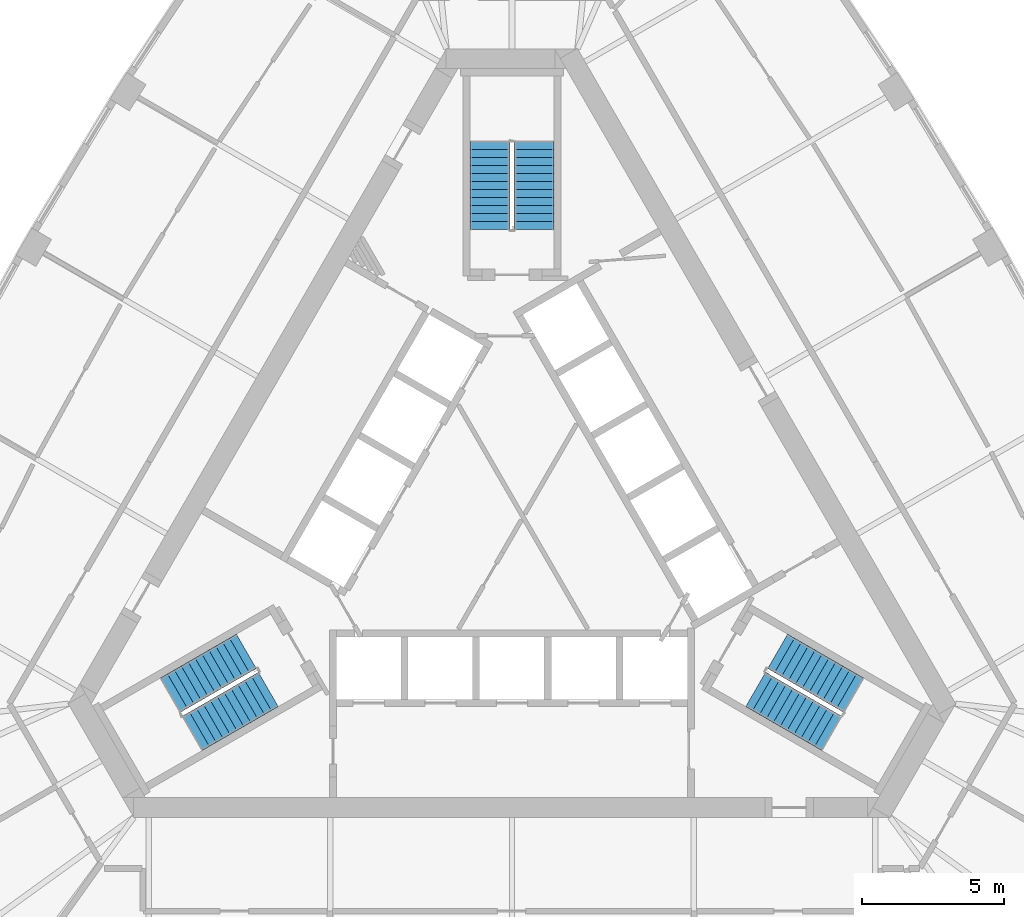
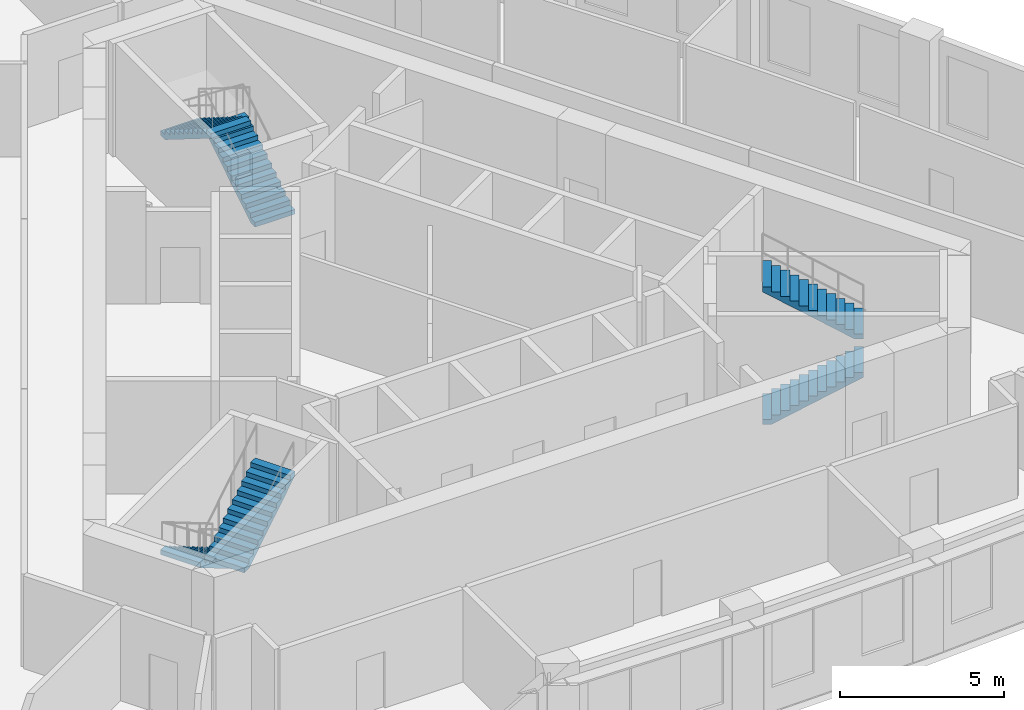
# One storey, part 10 of 11: 6 stair flights, 3 elements without a shape of their own.
"""IFC4 building model written with IfcOpenShell, lengths in metres."""

import ifcopenshell
import ifcopenshell.guid

model = None  # the IFC model being written
_history = None  # IfcOwnerHistory: only IFC2X3 demands one
_inside = {}  # id of a spatial element -> (the spatial element, [elements in it])
_under = {}  # id of a project, library or spatial element -> (it, [spatial elements below it])
_declared = {}  # id of a project -> (the project, [libraries it declares])
_typed = {}  # id of a type object -> (the type object, [elements of that type])
_made_of = {}  # id of a material, layer set ... -> (it, [elements and type objects made of it])


def new_model(schema):
    """Start an empty IFC model of exactly this schema.

    Asked for "IFC4X3", IfcOpenShell would pick the latest addendum, in which some entities
    have other attributes; the version numbers below select the first issue.
    IFC2X3 requires an IfcOwnerHistory on every rooted entity: one is made here for all.
    """
    global model, _history
    if schema == "IFC4X3":
        model = ifcopenshell.file(schema_version=(4, 3, 0, 0))
    else:
        model = ifcopenshell.file(schema=schema)
    _inside.clear()
    _under.clear()
    _declared.clear()
    _typed.clear()
    _made_of.clear()
    _history = None
    if model.schema == "IFC2X3":
        org = make("IfcOrganization", Name="unknown")
        user = make(
            "IfcPersonAndOrganization",
            ThePerson=make("IfcPerson", FamilyName="unknown"),
            TheOrganization=org,
        )
        app = make(
            "IfcApplication",
            ApplicationDeveloper=org,
            Version="unknown",
            ApplicationFullName="unknown",
            ApplicationIdentifier="unknown",
        )
        _history = make(
            "IfcOwnerHistory",
            OwningUser=user,
            OwningApplication=app,
            ChangeAction="ADDED",
            CreationDate=0,
        )
    return model


def make(cls, **values):
    """One entity of the class cls with the attributes given. An attribute that is None is left unset."""
    return model.create_entity(
        cls, **{name: value for name, value in values.items() if value is not None}
    )


def rooted(cls, **values):
    """An entity with a GlobalId (a new one), such as an element, a storey or a relation."""
    return make(cls, GlobalId=ifcopenshell.guid.new(), OwnerHistory=_history, **values)


def si_unit(unit_type, name, prefix=None):
    """IfcSIUnit, for example si_unit("LENGTHUNIT", "METRE", prefix="MILLI")."""
    return make("IfcSIUnit", UnitType=unit_type, Prefix=prefix, Name=name)


def assignment(units):
    """IfcUnitAssignment: the units of a project."""
    return None if units is None else make("IfcUnitAssignment", Units=units)


def point(xyz):
    """IfcCartesianPoint."""
    return None if xyz is None else make("IfcCartesianPoint", Coordinates=xyz)


def direction(xyz):
    """IfcDirection."""
    return None if xyz is None else make("IfcDirection", DirectionRatios=xyz)


def frame(location, z_axis=None, x_axis=None):
    """IfcAxis2Placement3D, a coordinate frame: its origin and axes. An axis left out is left unset."""
    return make(
        "IfcAxis2Placement3D",
        Location=point(location),
        Axis=direction(z_axis),
        RefDirection=direction(x_axis),
    )


def origin():
    """The frame at (0, 0, 0) with its axes left unset."""
    return frame((0.0, 0.0, 0.0))


def place(relative_to, where):
    """IfcLocalPlacement: puts the frame where relative to a parent placement (None: the world)."""
    return make(
        "IfcLocalPlacement", PlacementRelTo=relative_to, RelativePlacement=where
    )


def context(
    kind, dimensions, precision=None, world=None, true_north=None, identifier=None
):
    """IfcGeometricRepresentationContext, for example the 3D "Model" context."""
    return make(
        "IfcGeometricRepresentationContext",
        ContextIdentifier=identifier,
        ContextType=kind,
        CoordinateSpaceDimension=dimensions,
        Precision=precision,
        WorldCoordinateSystem=world,
        TrueNorth=true_north,
    )


def subcontext(parent, identifier, kind, view, scale=None):
    """IfcGeometricRepresentationSubContext, for example "Body" below "Model"."""
    return make(
        "IfcGeometricRepresentationSubContext",
        ContextIdentifier=identifier,
        ContextType=kind,
        ParentContext=parent,
        TargetScale=scale,
        TargetView=view,
    )


def project(units=None, contexts=None):
    """IfcProject with its units and contexts."""
    return rooted(
        "IfcProject",
        Name="project",
        RepresentationContexts=contexts,
        UnitsInContext=assignment(units),
    )


def spatial(cls, under=None, at=None, **own):
    """A site, building, storey or space (cls), placed at a placement, below another one or the project."""
    s = rooted(cls, ObjectPlacement=at, **own)
    if under is not None:
        _under.setdefault(under.id(), (under, []))[1].append(s)
    return s


def polyline(points):
    """IfcPolyline through the points."""
    return make("IfcPolyline", Points=[point(p) for p in points])


def outline(outer, holes=None, kind="AREA"):
    """IfcArbitraryClosedProfileDef: a profile drawn as a closed curve; with holes, ...WithVoids."""
    if holes is None:
        return make("IfcArbitraryClosedProfileDef", ProfileType=kind, OuterCurve=outer)
    return make(
        "IfcArbitraryProfileDefWithVoids",
        ProfileType=kind,
        OuterCurve=outer,
        InnerCurves=holes,
    )


def extrude(swept, where, along, depth):
    """IfcExtrudedAreaSolid: the profile swept, set in the frame where, extruded along a direction by depth."""
    return make(
        "IfcExtrudedAreaSolid",
        SweptArea=swept,
        Position=where,
        ExtrudedDirection=direction(along),
        Depth=depth,
    )


def shape(context_of_items, identifier, shape_type, items):
    """IfcShapeRepresentation: the items that make up one representation, for example the "Body"."""
    return make(
        "IfcShapeRepresentation",
        ContextOfItems=context_of_items,
        RepresentationIdentifier=identifier,
        RepresentationType=shape_type,
        Items=items,
    )


def material(Name=None, Category=None):
    """IfcMaterial."""
    return make("IfcMaterial", Name=Name, Category=Category)


def made_of(thing, what):
    """Note that an element or type object is made of a material, layer set ...; save() writes the relation."""
    if what is not None:
        _made_of.setdefault(what.id(), (what, []))[1].append(thing)
    return thing


def type_object(cls, material=None, **own):
    """A type object (cls), such as IfcWallType, which elements share."""
    return made_of(rooted(cls, **own), material)


def element(
    cls,
    number,
    at=None,
    inside=None,
    cuts=None,
    type_object=None,
    material=None,
    context=None,
    identifier="Body",
    shape_type=None,
    held_by="IfcProductDefinitionShape",
    body=None,
    shapes=None,
    **own,
):
    """One element of the class cls, such as IfcWall. Its Tag is "e" and its number.

    at: its placement. inside: the storey or other place that contains it. cuts: it is an
    opening in that element (IfcRelVoidsElement). A single representation is given by context,
    identifier, shape_type and body (its items); several are given by shapes. held_by: the class
    of the entity that holds the representations. save() writes the other relations.
    """
    e = rooted(cls, Tag="e%d" % number, ObjectPlacement=at, **own)
    if body is not None:
        shapes = [shape(context, identifier, shape_type, body)]
    if shapes is not None:
        e.Representation = make(held_by, Representations=shapes)
    if inside is not None:
        _inside.setdefault(inside.id(), (inside, []))[1].append(e)
    if cuts is not None:
        rooted(
            "IfcRelVoidsElement", RelatingBuildingElement=cuts, RelatedOpeningElement=e
        )
    if type_object is not None:
        _typed.setdefault(type_object.id(), (type_object, []))[1].append(e)
    return made_of(e, material)


def aggregate(whole, parts):
    """IfcRelAggregates: a whole, such as a stair, and the parts it consists of."""
    return rooted("IfcRelAggregates", RelatingObject=whole, RelatedObjects=parts)


def save(model, path):
    """Write the relations noted so far, then the file.

    IfcRelAggregates (storeys below a building ...), IfcRelContainedInSpatialStructure (elements
    in a storey), IfcRelDefinesByType, IfcRelAssociatesMaterial and IfcRelDeclares: one each for
    every whole, place, type object, material and project.
    """
    for whole, parts in _under.values():
        aggregate(whole, parts)
    for where, things in _inside.values():
        rooted(
            "IfcRelContainedInSpatialStructure",
            RelatedElements=things,
            RelatingStructure=where,
        )
    for kind, things in _typed.values():
        rooted("IfcRelDefinesByType", RelatedObjects=things, RelatingType=kind)
    for what, things in _made_of.values():
        rooted("IfcRelAssociatesMaterial", RelatedObjects=things, RelatingMaterial=what)
    for by, libraries in _declared.values():
        rooted("IfcRelDeclares", RelatingContext=by, RelatedDefinitions=libraries)
    model.write(path)


model = new_model("IFC4")

# Units and contexts
model_context = context("Model", 3, precision=1e-05, world=origin(), true_north=direction((0.0, 1.0)))
body_context = subcontext(model_context, "Body", "Model", "MODEL_VIEW")
ifc_project = project(units=[si_unit("LENGTHUNIT", "METRE"), si_unit("AREAUNIT", "SQUARE_METRE"), si_unit("VOLUMEUNIT", "CUBIC_METRE"), si_unit("PLANEANGLEUNIT", "RADIAN"), si_unit("MASSUNIT", "GRAM", prefix="KILO")], contexts=[model_context])

# Site, building, storey
site_placement = place(None, origin())
site = spatial("IfcSite", under=ifc_project, at=site_placement, CompositionType="ELEMENT")
building_placement = place(site_placement, origin())
building = spatial("IfcBuilding", under=site, at=building_placement, Name="Mestral Congress Tower", CompositionType="ELEMENT")
storey_placement = place(building_placement, frame((0.0, 0.0, 201.60009765625)))
storey = spatial("IfcBuildingStorey", under=building, at=storey_placement, Name="L47", CompositionType="ELEMENT", Elevation=201.60009765625)

# Stair, stair flights
ifc_material = material(Name="Concrete C60/75", Category="concrete")
stair_type = type_object("IfcStairType", Name="Exit stair 1400", PredefinedType="HALF_TURN_STAIR", material=ifc_material)
placement = place(storey_placement, origin())
stair_1 = element("IfcStair", 1, at=placement, inside=storey, type_object=stair_type, Name="L47 ST1", PredefinedType="HALF_TURN_STAIR")
stair_flight_type = type_object("IfcStairFlightType", Name="Exit stair flight 1400", PredefinedType="STRAIGHT", material=ifc_material)
stair_flight_1_placement = place(storey_placement, frame((8.575927734375, -5.84619140625, 0.0), z_axis=(0.0, 0.0, 1.0), x_axis=(0.866025403784, -0.5, 0.0)))
stair_flight_1 = element("IfcStairFlight", 2, at=stair_flight_1_placement, type_object=stair_flight_type, Name="ST1 flight 1", NumberOfRisers=12, NumberOfTreads=11, PredefinedType="STRAIGHT", RiserHeight=0.175, TreadLength=0.28, context=body_context, shape_type="SweptSolid", body=[
    extrude(outline(polyline([(0.0, 0.0), (0.0, 0.175048828125), (0.280029296875, 0.175048828125), (0.280029296875, 0.35009765625), (0.56005859375, 0.35009765625), (0.56005859375, 0.52490234375), (0.840087890625, 0.52490234375), (0.840087890625, 0.699951171875), (1.1201171875, 0.699951171875), (1.1201171875, 0.875), (1.39990234375, 0.875), (1.39990234375, 1.050048828125), (1.679931640625, 1.050048828125), (1.679931640625, 1.22509765625), (1.9599609375, 1.22509765625), (1.9599609375, 1.39990234375), (2.239990234375, 1.39990234375), (2.239990234375, 1.574951171875), (2.52001953125, 1.574951171875), (2.52001953125, 1.75), (2.800048828125, 1.75), (2.800048828125, 1.925048828125), (3.080078125, 1.925048828125), (3.080078125, 2.10009765625), (3.080078125, 1.748291015625), (0.28271484375, 0.0), (0.0, 0.0)])), frame((0.0, 0.699951171875, 0.0), z_axis=(0.0, -1.0, 0.0), x_axis=(1.0, 0.0, 0.0)), (0.0, 0.0, 1.0), 1.39990234375),
])
stair_flight_2_placement = place(storey_placement, frame((12.018310546875, -6.0439453125, 2.099853515625), z_axis=(0.0, 0.0, 1.0), x_axis=(-0.866025403784, 0.5, 0.0)))
stair_flight_2 = element("IfcStairFlight", 3, at=stair_flight_2_placement, type_object=stair_flight_type, Name="ST1 flight 2", NumberOfRisers=12, NumberOfTreads=11, PredefinedType="STRAIGHT", RiserHeight=0.175, TreadLength=0.28, context=body_context, shape_type="SweptSolid", body=[
    extrude(outline(polyline([(0.0, 0.0), (0.0, 0.175048828125), (0.280029296875, 0.175048828125), (0.280029296875, 0.35009765625), (0.56005859375, 0.35009765625), (0.56005859375, 0.52490234375), (0.840087890625, 0.52490234375), (0.840087890625, 0.699951171875), (1.1201171875, 0.699951171875), (1.1201171875, 0.875), (1.39990234375, 0.875), (1.39990234375, 1.050048828125), (1.679931640625, 1.050048828125), (1.679931640625, 1.22509765625), (1.9599609375, 1.22509765625), (1.9599609375, 1.39990234375), (2.239990234375, 1.39990234375), (2.239990234375, 1.574951171875), (2.52001953125, 1.574951171875), (2.52001953125, 1.75), (2.800048828125, 1.75), (2.800048828125, 1.925048828125), (3.080078125, 1.925048828125), (3.080078125, 2.10009765625), (3.080078125, 1.748291015625), (0.28271484375, 0.0), (0.0, 0.0)])), frame((0.0, 0.699951171875, 0.0), z_axis=(0.0, -1.0, 0.0), x_axis=(1.0, 0.0, 0.0)), (0.0, 0.0, 1.0), 1.39990234375),
])
aggregate(stair_1, [stair_flight_1, stair_flight_2])

stair_2 = element("IfcStair", 4, at=placement, inside=storey, type_object=stair_type, Name="L47 ST2", PredefinedType="HALF_TURN_STAIR")
stair_flight_3_placement = place(storey_placement, frame((0.77490234375, 10.35009765625, 0.0), z_axis=(0.0, 0.0, 1.0), x_axis=(0.0, 1.0, 0.0)))
stair_flight_3 = element("IfcStairFlight", 5, at=stair_flight_3_placement, type_object=stair_flight_type, Name="ST2 flight 1", NumberOfRisers=12, NumberOfTreads=11, PredefinedType="STRAIGHT", RiserHeight=0.175, TreadLength=0.28, context=body_context, shape_type="SweptSolid", body=[
    extrude(outline(polyline([(0.0, 0.0), (0.0, 0.175048828125), (0.280029296875, 0.175048828125), (0.280029296875, 0.35009765625), (0.56005859375, 0.35009765625), (0.56005859375, 0.52490234375), (0.840087890625, 0.52490234375), (0.840087890625, 0.699951171875), (1.1201171875, 0.699951171875), (1.1201171875, 0.875), (1.39990234375, 0.875), (1.39990234375, 1.050048828125), (1.679931640625, 1.050048828125), (1.679931640625, 1.22509765625), (1.9599609375, 1.22509765625), (1.9599609375, 1.39990234375), (2.239990234375, 1.39990234375), (2.239990234375, 1.574951171875), (2.52001953125, 1.574951171875), (2.52001953125, 1.75), (2.800048828125, 1.75), (2.800048828125, 1.925048828125), (3.080078125, 1.925048828125), (3.080078125, 2.10009765625), (3.080078125, 1.748291015625), (0.28271484375, 0.0), (0.0, 0.0)])), frame((0.0, 0.699951171875, 0.0), z_axis=(0.0, -1.0, 0.0), x_axis=(1.0, 0.0, 0.0)), (0.0, 0.0, 1.0), 1.39990234375),
])
stair_flight_4_placement = place(storey_placement, frame((-0.77490234375, 13.429931640625, 2.099853515625), z_axis=(0.0, 0.0, 1.0), x_axis=(0.0, -1.0, 0.0)))
stair_flight_4 = element("IfcStairFlight", 6, at=stair_flight_4_placement, type_object=stair_flight_type, Name="ST2 flight 2", NumberOfRisers=12, NumberOfTreads=11, PredefinedType="STRAIGHT", RiserHeight=0.175, TreadLength=0.28, context=body_context, shape_type="SweptSolid", body=[
    extrude(outline(polyline([(0.0, 0.0), (0.0, 0.175048828125), (0.280029296875, 0.175048828125), (0.280029296875, 0.35009765625), (0.56005859375, 0.35009765625), (0.56005859375, 0.52490234375), (0.840087890625, 0.52490234375), (0.840087890625, 0.699951171875), (1.1201171875, 0.699951171875), (1.1201171875, 0.875), (1.39990234375, 0.875), (1.39990234375, 1.050048828125), (1.679931640625, 1.050048828125), (1.679931640625, 1.22509765625), (1.9599609375, 1.22509765625), (1.9599609375, 1.39990234375), (2.239990234375, 1.39990234375), (2.239990234375, 1.574951171875), (2.52001953125, 1.574951171875), (2.52001953125, 1.75), (2.800048828125, 1.75), (2.800048828125, 1.925048828125), (3.080078125, 1.925048828125), (3.080078125, 2.10009765625), (3.080078125, 1.748291015625), (0.28271484375, 0.0), (0.0, 0.0)])), frame((0.0, 0.699951171875, 0.0), z_axis=(0.0, -1.0, 0.0), x_axis=(1.0, 0.0, 0.0)), (0.0, 0.0, 1.0), 1.39990234375),
])
aggregate(stair_2, [stair_flight_3, stair_flight_4])

stair_3 = element("IfcStair", 7, at=placement, inside=storey, type_object=stair_type, Name="L47 ST3", PredefinedType="HALF_TURN_STAIR")
stair_flight_5_placement = place(storey_placement, frame((-9.350830078125, -4.50390625, 0.0), z_axis=(0.0, 0.0, 1.0), x_axis=(-0.866025403784, -0.5, 0.0)))
stair_flight_5 = element("IfcStairFlight", 8, at=stair_flight_5_placement, type_object=stair_flight_type, Name="ST3 flight 1", NumberOfRisers=12, NumberOfTreads=11, PredefinedType="STRAIGHT", RiserHeight=0.175, TreadLength=0.28, context=body_context, shape_type="SweptSolid", body=[
    extrude(outline(polyline([(0.0, 0.0), (0.0, 0.175048828125), (0.280029296875, 0.175048828125), (0.280029296875, 0.35009765625), (0.56005859375, 0.35009765625), (0.56005859375, 0.52490234375), (0.840087890625, 0.52490234375), (0.840087890625, 0.699951171875), (1.1201171875, 0.699951171875), (1.1201171875, 0.875), (1.39990234375, 0.875), (1.39990234375, 1.050048828125), (1.679931640625, 1.050048828125), (1.679931640625, 1.22509765625), (1.9599609375, 1.22509765625), (1.9599609375, 1.39990234375), (2.239990234375, 1.39990234375), (2.239990234375, 1.574951171875), (2.52001953125, 1.574951171875), (2.52001953125, 1.75), (2.800048828125, 1.75), (2.800048828125, 1.925048828125), (3.080078125, 1.925048828125), (3.080078125, 2.10009765625), (3.080078125, 1.748291015625), (0.28271484375, 0.0), (0.0, 0.0)])), frame((0.0, 0.699951171875, 0.0), z_axis=(0.0, -1.0, 0.0), x_axis=(1.0, 0.0, 0.0)), (0.0, 0.0, 1.0), 1.39990234375),
])
stair_flight_6_placement = place(storey_placement, frame((-11.2431640625, -7.38623046875, 2.099853515625), z_axis=(0.0, 0.0, 1.0), x_axis=(0.866025403784, 0.5, 0.0)))
stair_flight_6 = element("IfcStairFlight", 9, at=stair_flight_6_placement, type_object=stair_flight_type, Name="ST3 flight 2", NumberOfRisers=12, NumberOfTreads=11, PredefinedType="STRAIGHT", RiserHeight=0.175, TreadLength=0.28, context=body_context, shape_type="SweptSolid", body=[
    extrude(outline(polyline([(0.0, 0.0), (0.0, 0.175048828125), (0.280029296875, 0.175048828125), (0.280029296875, 0.35009765625), (0.56005859375, 0.35009765625), (0.56005859375, 0.52490234375), (0.840087890625, 0.52490234375), (0.840087890625, 0.699951171875), (1.1201171875, 0.699951171875), (1.1201171875, 0.875), (1.39990234375, 0.875), (1.39990234375, 1.050048828125), (1.679931640625, 1.050048828125), (1.679931640625, 1.22509765625), (1.9599609375, 1.22509765625), (1.9599609375, 1.39990234375), (2.239990234375, 1.39990234375), (2.239990234375, 1.574951171875), (2.52001953125, 1.574951171875), (2.52001953125, 1.75), (2.800048828125, 1.75), (2.800048828125, 1.925048828125), (3.080078125, 1.925048828125), (3.080078125, 2.10009765625), (3.080078125, 1.748291015625), (0.28271484375, 0.0), (0.0, 0.0)])), frame((0.0, 0.699951171875, 0.0), z_axis=(0.0, -1.0, 0.0), x_axis=(1.0, 0.0, 0.0)), (0.0, 0.0, 1.0), 1.39990234375),
])
aggregate(stair_3, [stair_flight_5, stair_flight_6])

save(model, "model.ifc")
